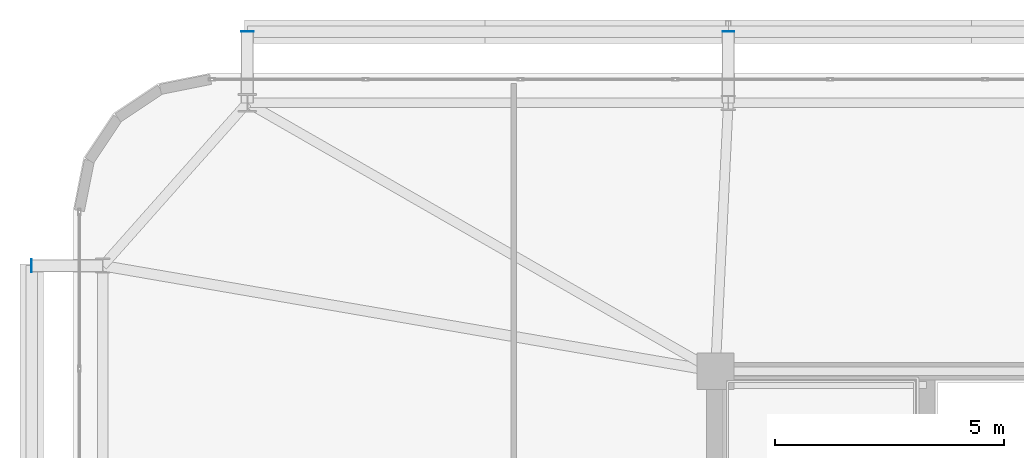
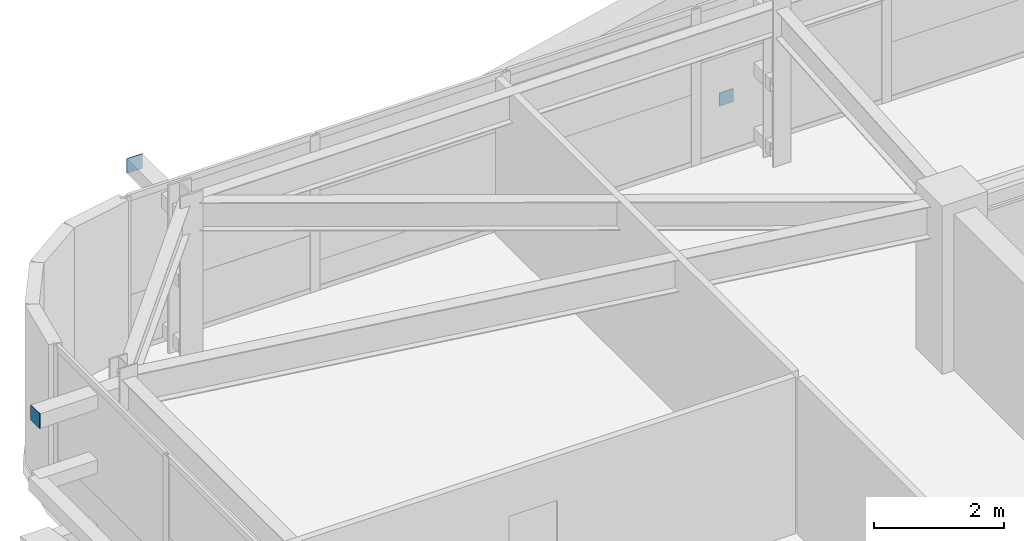
# One storey, part 49 of 59: 3 plates.
"""IFC4 building model written with IfcOpenShell, lengths in metres."""

from ifc_helpers import new_model, si_unit, direction, frame, origin, origin_2d, place, context, subcontext, project, spatial, rectangle, extrude, source, transform, mapped, material, layer, layer_set, type_object, element, save


model = new_model("IFC4")

# Units and contexts
model_context = context("Model", 3, precision=1e-05, world=origin(), true_north=direction((0.0, 1.0)))
body_context = subcontext(model_context, "Body", "Model", "MODEL_VIEW")
ifc_project = project(units=[si_unit("LENGTHUNIT", "METRE"), si_unit("AREAUNIT", "SQUARE_METRE"), si_unit("VOLUMEUNIT", "CUBIC_METRE"), si_unit("PLANEANGLEUNIT", "RADIAN"), si_unit("MASSUNIT", "GRAM", prefix="KILO")], contexts=[model_context])

# Site, building, storey
site_placement = place(None, origin())
site = spatial("IfcSite", under=ifc_project, at=site_placement, CompositionType="ELEMENT")
building_placement = place(site_placement, origin())
building = spatial("IfcBuilding", under=site, at=building_placement, Name="Taldren Reach Tower", CompositionType="ELEMENT")
storey_placement = place(building_placement, frame((0.0, 0.0, 48.300048828125)))
storey = spatial("IfcBuildingStorey", under=building, at=storey_placement, Name="L14", CompositionType="ELEMENT", Elevation=48.300048828125)

# Plates
ifc_material_1 = material(Name="Steel Gr 450 (C450L0)", Category="steel")
ifc_layer_1 = layer(ifc_material_1, 0.011962890625)
ifc_layer_set_1 = layer_set([ifc_layer_1], Name="Steel Gr 450 (C450L0)")
plate_type_1 = type_object("IfcPlateType", Name="PL-CAP-275", PredefinedType="SHEET", material=ifc_layer_set_1)
shared_shape_1 = source(origin(), body_context, "Body", "SweptSolid", [
    extrude(rectangle(XDim=0.27490234375, YDim=0.011962890625, at=origin_2d()), origin(), (0.0, 0.0, 1.0), 0.27490234375),
])
plate_1_placement = place(storey_placement, frame((8.800048828125, 39.406005859375, 2.512451171875), z_axis=(0.0, 0.0, 1.0), x_axis=(1.0, 0.0, 0.0)))
element("IfcPlate", 1, at=plate_1_placement, inside=storey, type_object=plate_type_1, Name="Tie strut end cap plate B1-N1 L14", PredefinedType="SHEET", context=body_context, shape_type="MappedRepresentation", body=[
    mapped(shared_shape_1, transform((0.0, 0.0, 0.0), scale=1.0)),
])
shared_shape_2 = source(origin(), body_context, "Body", "SweptSolid", [
    extrude(rectangle(XDim=0.011962890625, YDim=0.27490234375, at=origin_2d()), origin(), (0.0, 0.0, 1.0), 0.27490234375),
])
plate_2_placement = place(storey_placement, frame((4.093994140625, 34.300048828125, 2.512451171875), z_axis=(0.0, 0.0, 1.0), x_axis=(1.0, 0.0, 0.0)))
element("IfcPlate", 2, at=plate_2_placement, inside=storey, type_object=plate_type_1, Name="Tie strut end cap plate B1-W3 L14", PredefinedType="SHEET", context=body_context, shape_type="MappedRepresentation", body=[
    mapped(shared_shape_2, transform((0.0, 0.0, 0.0), scale=1.0)),
])
ifc_material_2 = material(Name="Steel Gr 350 (C350L0)", Category="steel")
ifc_layer_2 = layer(ifc_material_2, 0.011962890625)
ifc_layer_set_2 = layer_set([ifc_layer_2], Name="Steel Gr 350 (C350L0)")
plate_type_2 = type_object("IfcPlateType", Name="PL-CAP-250", PredefinedType="SHEET", material=ifc_layer_set_2)
shared_shape_3 = source(origin(), body_context, "Body", "SweptSolid", [
    extrude(rectangle(XDim=0.25, YDim=0.011962890625, at=origin_2d()), origin(), (0.0, 0.0, 1.0), 0.25),
])
plate_3_placement = place(storey_placement, frame((19.280029296875, 39.406005859375, 0.094970703125), z_axis=(0.0, 0.0, 1.0), x_axis=(1.0, 0.0, 0.0)))
element("IfcPlate", 3, at=plate_3_placement, inside=storey, type_object=plate_type_2, Name="Tie strut end cap plate B1-N2 L14", PredefinedType="SHEET", context=body_context, shape_type="MappedRepresentation", body=[
    mapped(shared_shape_3, transform((0.0, 0.0, 0.0), scale=1.0)),
])

save(model, "model.ifc")
